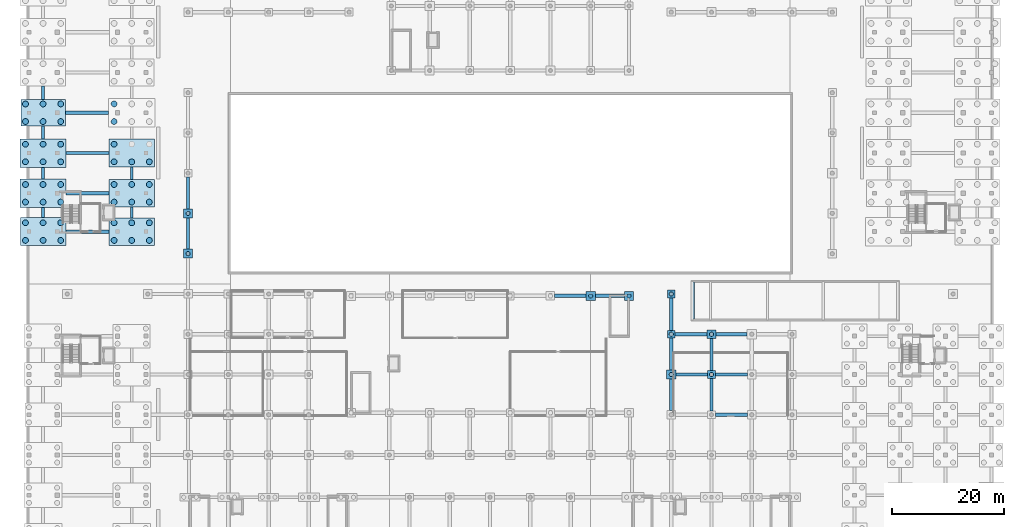
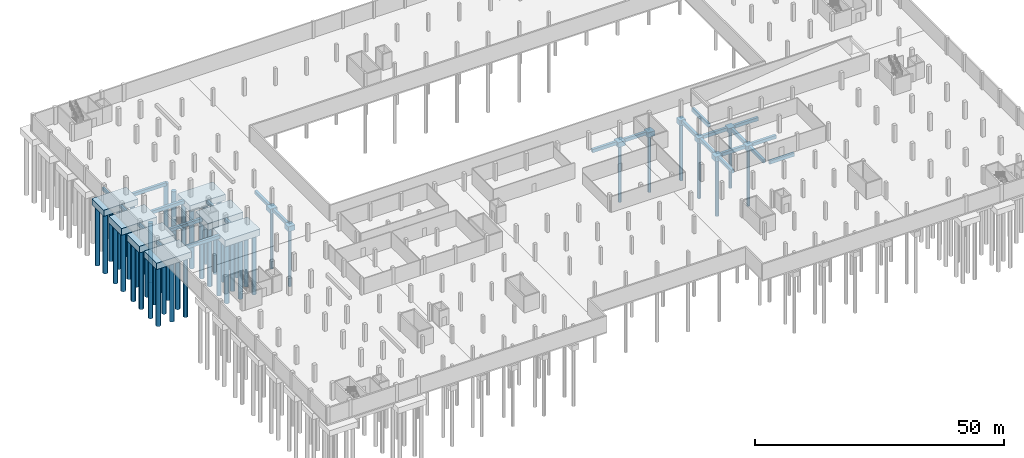
# One storey, part 6 of 36: 51 piles, 41 footings.
"""IFC4 building model written with IfcOpenShell, lengths in metres."""

from ifc_helpers import new_model, si_unit, derived_unit, direction, frame, origin, origin_2d, place, context, subcontext, project, spatial, polyline, rectangle, circle, outline, extrude, material, material_profile, profile_set, type_object, element, save


model = new_model("IFC4")

# Units and contexts
model_context = context("Model", 3, precision=1e-05, world=origin(), true_north=direction((0.0, 1.0)))
body_context = subcontext(model_context, "Body", "Model", "MODEL_VIEW")
ifc_project = project(units=[si_unit("LENGTHUNIT", "METRE"), si_unit("AREAUNIT", "SQUARE_METRE"), si_unit("VOLUMEUNIT", "CUBIC_METRE"), si_unit("PLANEANGLEUNIT", "RADIAN"), si_unit("MASSUNIT", "GRAM", prefix="KILO"), derived_unit("THERMALTRANSMITTANCEUNIT", [(si_unit("MASSUNIT", "GRAM", prefix="KILO"), 1), (si_unit("TIMEUNIT", "SECOND"), -3), (si_unit("THERMODYNAMICTEMPERATUREUNIT", "KELVIN"), -1)])], contexts=[model_context])

# Site, building, storey
site_placement = place(None, origin())
site = spatial("IfcSite", under=ifc_project, at=site_placement, CompositionType="ELEMENT")
building_placement = place(site_placement, origin())
building = spatial("IfcBuilding", under=site, at=building_placement, Name="Ochrekiln Boulevard Commons", CompositionType="ELEMENT")
storey_placement = place(building_placement, frame((0.0, 0.0, -4.199951171875)))
storey = spatial("IfcBuildingStorey", under=building, at=storey_placement, Name="B1", CompositionType="ELEMENT", Elevation=-4.199951171875)

# Footings
ifc_material = material(Name="Concrete C35/45", Category="concrete")
footing_type_1 = type_object("IfcFootingType", Name="CAP-RC-1350x1350x1200", PredefinedType="PILE_CAP", material=ifc_material)
footing_1_placement = place(storey_placement, frame((115.199951171875, 50.39990234375, -1.5), z_axis=(0.0, 0.0, 1.0), x_axis=(1.0, 0.0, 0.0)))
element("IfcFooting", 1, at=footing_1_placement, inside=storey, type_object=footing_type_1, Name="Reinforced Concrete Pile Cap PC-27 (144)", PredefinedType="PILE_CAP", context=body_context, shape_type="SweptSolid", body=[
    extrude(rectangle(XDim=1.35009765625, YDim=1.35009765625, at=origin_2d()), origin(), (0.0, 0.0, 1.0), 1.199951171875),
])
footing_type_2 = type_object("IfcFootingType", Name="CAP-RC-1410x1410x1200", PredefinedType="PILE_CAP", material=ifc_material)
footing_2_placement = place(storey_placement, frame((115.199951171875, 57.60009765625, -1.5), z_axis=(0.0, 0.0, 1.0), x_axis=(1.0, 0.0, 0.0)))
element("IfcFooting", 2, at=footing_2_placement, inside=storey, type_object=footing_type_2, Name="Reinforced Concrete Pile Cap PC-28 (145)", PredefinedType="PILE_CAP", context=body_context, shape_type="SweptSolid", body=[
    extrude(rectangle(XDim=1.409912109375, YDim=1.409912109375, at=origin_2d()), origin(), (0.0, 0.0, 1.0), 1.199951171875),
])
footing_type_3 = type_object("IfcFootingType", Name="CAP-RC-1470x1470x1200", PredefinedType="PILE_CAP", material=ifc_material)
footing_3_placement = place(storey_placement, frame((122.39990234375, 43.199951171875, -1.5), z_axis=(0.0, 0.0, 1.0), x_axis=(1.0, 0.0, 0.0)))
element("IfcFooting", 3, at=footing_3_placement, inside=storey, type_object=footing_type_3, Name="Reinforced Concrete Pile Cap PC-29 (152)", PredefinedType="PILE_CAP", context=body_context, shape_type="SweptSolid", body=[
    extrude(rectangle(XDim=1.469970703125, YDim=1.469970703125, at=origin_2d()), origin(), (0.0, 0.0, 1.0), 1.199951171875),
])
footing_type_4 = type_object("IfcFootingType", Name="CAP-RC-1530x1530x1200", PredefinedType="PILE_CAP", material=ifc_material)
footing_4_placement = place(storey_placement, frame((122.39990234375, 50.39990234375, -1.5), z_axis=(0.0, 0.0, 1.0), x_axis=(1.0, 0.0, 0.0)))
element("IfcFooting", 4, at=footing_4_placement, inside=storey, type_object=footing_type_4, Name="Reinforced Concrete Pile Cap PC-30 (153)", PredefinedType="PILE_CAP", context=body_context, shape_type="SweptSolid", body=[
    extrude(rectangle(XDim=1.530029296875, YDim=1.530029296875, at=origin_2d()), origin(), (0.0, 0.0, 1.0), 1.199951171875),
])
footing_type_5 = type_object("IfcFootingType", Name="CAP-RC-1590x1590x1200", PredefinedType="PILE_CAP", material=ifc_material)
for number, where, z_axis, x_axis, name in (
    (5, (28.800048828125, 64.800048828125, -1.5), (0.0, 0.0, 1.0), (1.0, 0.0, 0.0), "Reinforced Concrete Pile Cap PC-26 (40)"),
    (6, (107.64990234375, 57.25, -1.5), (0.0, 0.0, 1.0), (1.0, 0.0, 0.0), "Reinforced Concrete Pile Cap PC-26 (130)"),
):
    element("IfcFooting", number, at=place(storey_placement, frame(where, z_axis=z_axis, x_axis=x_axis)), inside=storey, type_object=footing_type_5, Name=name, PredefinedType="PILE_CAP", context=body_context, shape_type="SweptSolid", body=[
        extrude(rectangle(XDim=1.590087890625, YDim=1.590087890625, at=origin_2d()), origin(), (0.0, 0.0, 1.0), 1.199951171875),
    ])
footing_type_6 = type_object("IfcFootingType", Name="CAP-RC-1650x1650x1200", PredefinedType="PILE_CAP", material=ifc_material)
for number, where, z_axis, x_axis, name in (
    (7, (28.800048828125, 72.0, -1.5), (0.0, 0.0, 1.0), (1.0, 0.0, 0.0), "Reinforced Concrete Pile Cap PC-17 (41)"),
    (8, (100.800048828125, 57.25, -1.5), (0.0, 0.0, 1.0), (1.0, 0.0, 0.0), "Reinforced Concrete Pile Cap PC-17 (125)"),
    (9, (115.199951171875, 43.199951171875, -1.5), (0.0, 0.0, 1.0), (1.0, 0.0, 0.0), "Reinforced Concrete Pile Cap PC-17 (143)"),
):
    element("IfcFooting", number, at=place(storey_placement, frame(where, z_axis=z_axis, x_axis=x_axis)), inside=storey, type_object=footing_type_6, Name=name, PredefinedType="PILE_CAP", context=body_context, shape_type="SweptSolid", body=[
        extrude(rectangle(XDim=1.64990234375, YDim=1.64990234375, at=origin_2d()), origin(), (0.0, 0.0, 1.0), 1.199951171875),
    ])
footing_type_7 = type_object("IfcFootingType", Name="CAP-RC-7950x4800x1500", PredefinedType="PILE_CAP", material=ifc_material)
footing_5_placement = place(storey_placement, frame((2.875, 90.0, -1.800048828125), z_axis=(0.0, 0.0, 1.0), x_axis=(1.0, 0.0, 0.0)))
element("IfcFooting", 10, at=footing_5_placement, inside=storey, type_object=footing_type_7, Name="Reinforced Concrete Pile Cap PC-12 (12)", PredefinedType="PILE_CAP", context=body_context, shape_type="SweptSolid", body=[
    extrude(rectangle(XDim=7.949951171875, YDim=4.800048828125, at=origin_2d()), origin(), (0.0, 0.0, 1.0), 1.5),
])
footing_type_8 = type_object("IfcFootingType", Name="CAP-RC-8070x4920x1600", PredefinedType="PILE_CAP", material=ifc_material)
footing_6_placement = place(storey_placement, frame((18.72509765625, 68.75, -1.900146484375), z_axis=(0.0, 0.0, 1.0), x_axis=(1.0, 0.0, 0.0)))
element("IfcFooting", 11, at=footing_6_placement, inside=storey, type_object=footing_type_8, Name="Reinforced Concrete Pile Cap PC-14 (26)", PredefinedType="PILE_CAP", context=body_context, shape_type="SweptSolid", body=[
    extrude(rectangle(XDim=8.070068359375, YDim=4.919921875, at=origin_2d()), origin(), (0.0, 0.0, 1.0), 1.60009765625),
])
footing_type_9 = type_object("IfcFootingType", Name="CAP-RC-8130x4980x1550", PredefinedType="PILE_CAP", material=ifc_material)
footing_7_placement = place(storey_placement, frame((2.875, 68.75, -1.85009765625), z_axis=(0.0, 0.0, 1.0), x_axis=(1.0, 0.0, 0.0)))
element("IfcFooting", 12, at=footing_7_placement, inside=storey, type_object=footing_type_9, Name="Reinforced Concrete Pile Cap PC-09 (9)", PredefinedType="PILE_CAP", context=body_context, shape_type="SweptSolid", body=[
    extrude(rectangle(XDim=8.1298828125, YDim=4.97998046875, at=origin_2d()), origin(), (0.0, 0.0, 1.0), 1.550048828125),
])
footing_type_10 = type_object("IfcFootingType", Name="CAP-RC-8130x4980x1650", PredefinedType="PILE_CAP", material=ifc_material)
footing_8_placement = place(storey_placement, frame((18.72509765625, 75.60009765625, -1.949951171875), z_axis=(0.0, 0.0, 1.0), x_axis=(1.0, 0.0, 0.0)))
element("IfcFooting", 13, at=footing_8_placement, inside=storey, type_object=footing_type_10, Name="Reinforced Concrete Pile Cap PC-15 (27)", PredefinedType="PILE_CAP", context=body_context, shape_type="SweptSolid", body=[
    extrude(rectangle(XDim=8.1298828125, YDim=4.97998046875, at=origin_2d()), origin(), (0.0, 0.0, 1.0), 1.64990234375),
])
footing_type_11 = type_object("IfcFootingType", Name="CAP-RC-8190x5040x1500", PredefinedType="PILE_CAP", material=ifc_material)
footing_9_placement = place(storey_placement, frame((18.72509765625, 82.800048828125, -1.800048828125), z_axis=(0.0, 0.0, 1.0), x_axis=(1.0, 0.0, 0.0)))
element("IfcFooting", 14, at=footing_9_placement, inside=storey, type_object=footing_type_11, Name="Reinforced Concrete Pile Cap PC-16 (28)", PredefinedType="PILE_CAP", context=body_context, shape_type="SweptSolid", body=[
    extrude(rectangle(XDim=8.18994140625, YDim=5.0400390625, at=origin_2d()), origin(), (0.0, 0.0, 1.0), 1.5),
])
footing_type_12 = type_object("IfcFootingType", Name="CAP-RC-8190x5040x1600", PredefinedType="PILE_CAP", material=ifc_material)
footing_10_placement = place(storey_placement, frame((2.875, 75.60009765625, -1.900146484375), z_axis=(0.0, 0.0, 1.0), x_axis=(1.0, 0.0, 0.0)))
element("IfcFooting", 15, at=footing_10_placement, inside=storey, type_object=footing_type_12, Name="Reinforced Concrete Pile Cap PC-10 (10)", PredefinedType="PILE_CAP", context=body_context, shape_type="SweptSolid", body=[
    extrude(rectangle(XDim=8.18994140625, YDim=5.0400390625, at=origin_2d()), origin(), (0.0, 0.0, 1.0), 1.60009765625),
])
footing_type_13 = type_object("IfcFootingType", Name="CAP-RC-8250x5100x1650", PredefinedType="PILE_CAP", material=ifc_material)
footing_11_placement = place(storey_placement, frame((2.875, 82.800048828125, -1.949951171875), z_axis=(0.0, 0.0, 1.0), x_axis=(1.0, 0.0, 0.0)))
element("IfcFooting", 16, at=footing_11_placement, inside=storey, type_object=footing_type_13, Name="Reinforced Concrete Pile Cap PC-11 (11)", PredefinedType="PILE_CAP", context=body_context, shape_type="SweptSolid", body=[
    extrude(rectangle(XDim=8.25, YDim=5.10009765625, at=origin_2d()), origin(), (0.0, 0.0, 1.0), 1.64990234375),
])
footing_type_14 = type_object("IfcFootingType", Name="FTG-BEAM-500x700", PredefinedType="FOOTING_BEAM", material=ifc_material)
footing_12_placement = place(storey_placement, frame((0.0, 0.0, -1.0)))
element("IfcFooting", 17, at=footing_12_placement, inside=storey, type_object=footing_type_14, Name="Seismic Footing Tie Beam FB-5070 Y-173", PredefinedType="FOOTING_BEAM", context=body_context, shape_type="SweptSolid", body=[
    extrude(outline(polyline([(2.625, 71.239990234375), (3.125, 71.239990234375), (3.125, 73.080078125), (2.625, 73.080078125), (2.625, 71.239990234375)])), origin(), (0.0, 0.0, 1.0), 0.699951171875),
])
footing_13_placement = place(storey_placement, frame((0.0, 0.0, -1.0)))
element("IfcFooting", 18, at=footing_13_placement, inside=storey, type_object=footing_type_14, Name="Seismic Footing Tie Beam FB-5070 Y-174", PredefinedType="FOOTING_BEAM", context=body_context, shape_type="SweptSolid", body=[
    extrude(outline(polyline([(2.625, 78.1201171875), (3.125, 78.1201171875), (3.125, 80.25), (2.625, 80.25), (2.625, 78.1201171875)])), origin(), (0.0, 0.0, 1.0), 0.699951171875),
])
footing_14_placement = place(storey_placement, frame((0.0, 0.0, -1.0)))
element("IfcFooting", 19, at=footing_14_placement, inside=storey, type_object=footing_type_14, Name="Seismic Footing Tie Beam FB-5070 Y-175", PredefinedType="FOOTING_BEAM", context=body_context, shape_type="SweptSolid", body=[
    extrude(outline(polyline([(2.625, 85.35009765625), (3.125, 85.35009765625), (3.125, 87.60009765625), (2.625, 87.60009765625), (2.625, 85.35009765625)])), origin(), (0.0, 0.0, 1.0), 0.699951171875),
])
footing_15_placement = place(storey_placement, frame((0.0, 0.0, -1.0)))
element("IfcFooting", 20, at=footing_15_placement, inside=storey, type_object=footing_type_14, Name="Seismic Footing Tie Beam FB-5070 Y-176", PredefinedType="FOOTING_BEAM", context=body_context, shape_type="SweptSolid", body=[
    extrude(outline(polyline([(2.625, 92.39990234375), (3.125, 92.39990234375), (3.125, 94.77001953125), (2.625, 94.77001953125), (2.625, 92.39990234375)])), origin(), (0.0, 0.0, 1.0), 0.699951171875),
])
footing_16_placement = place(storey_placement, frame((0.0, 0.0, -1.0)))
element("IfcFooting", 21, at=footing_16_placement, inside=storey, type_object=footing_type_14, Name="Seismic Footing Tie Beam FB-5070 Y-187", PredefinedType="FOOTING_BEAM", context=body_context, shape_type="SweptSolid", body=[
    extrude(outline(polyline([(18.47509765625, 71.2099609375), (18.97509765625, 71.2099609375), (18.97509765625, 73.110107421875), (18.47509765625, 73.110107421875), (18.47509765625, 71.2099609375)])), origin(), (0.0, 0.0, 1.0), 0.699951171875),
])
footing_17_placement = place(storey_placement, frame((0.0, 0.0, -1.0)))
element("IfcFooting", 22, at=footing_17_placement, inside=storey, type_object=footing_type_14, Name="Seismic Footing Tie Beam FB-5070 Y-188", PredefinedType="FOOTING_BEAM", context=body_context, shape_type="SweptSolid", body=[
    extrude(outline(polyline([(18.47509765625, 78.090087890625), (18.97509765625, 78.090087890625), (18.97509765625, 80.280029296875), (18.47509765625, 80.280029296875), (18.47509765625, 78.090087890625)])), origin(), (0.0, 0.0, 1.0), 0.699951171875),
])
footing_type_15 = type_object("IfcFootingType", Name="FTG-BEAM-600x800", PredefinedType="FOOTING_BEAM", material=ifc_material)
footing_18_placement = place(storey_placement, frame((0.0, 0.0, -1.10009765625)))
element("IfcFooting", 23, at=footing_18_placement, inside=storey, type_object=footing_type_15, Name="Seismic Footing Tie Beam FB-6080 X-65", PredefinedType="FOOTING_BEAM", context=body_context, shape_type="SweptSolid", body=[
    extrude(outline(polyline([(123.10498046875, 35.699951171875), (128.8349609375, 35.699951171875), (128.8349609375, 36.300048828125), (123.10498046875, 36.300048828125), (123.10498046875, 35.699951171875)])), origin(), (0.0, 0.0, 1.0), 0.800048828125),
])
footing_19_placement = place(storey_placement, frame((0.0, 0.0, -1.10009765625)))
element("IfcFooting", 24, at=footing_19_placement, inside=storey, type_object=footing_type_15, Name="Seismic Footing Tie Beam FB-6080 X-76", PredefinedType="FOOTING_BEAM", context=body_context, shape_type="SweptSolid", body=[
    extrude(outline(polyline([(116.02490234375, 42.89990234375), (121.6650390625, 42.89990234375), (121.6650390625, 43.5), (116.02490234375, 43.5), (116.02490234375, 42.89990234375)])), origin(), (0.0, 0.0, 1.0), 0.800048828125),
])
footing_20_placement = place(storey_placement, frame((0.0, 0.0, -1.10009765625)))
element("IfcFooting", 25, at=footing_20_placement, inside=storey, type_object=footing_type_15, Name="Seismic Footing Tie Beam FB-6080 X-77", PredefinedType="FOOTING_BEAM", context=body_context, shape_type="SweptSolid", body=[
    extrude(outline(polyline([(123.135009765625, 42.89990234375), (128.804931640625, 42.89990234375), (128.804931640625, 43.5), (123.135009765625, 43.5), (123.135009765625, 42.89990234375)])), origin(), (0.0, 0.0, 1.0), 0.800048828125),
])
footing_21_placement = place(storey_placement, frame((0.0, 0.0, -1.10009765625)))
element("IfcFooting", 26, at=footing_21_placement, inside=storey, type_object=footing_type_15, Name="Seismic Footing Tie Beam FB-6080 X-87", PredefinedType="FOOTING_BEAM", context=body_context, shape_type="SweptSolid", body=[
    extrude(outline(polyline([(115.875, 50.10009765625), (121.635009765625, 50.10009765625), (121.635009765625, 50.699951171875), (115.875, 50.699951171875), (115.875, 50.10009765625)])), origin(), (0.0, 0.0, 1.0), 0.800048828125),
])
footing_22_placement = place(storey_placement, frame((0.0, 0.0, -1.10009765625)))
element("IfcFooting", 27, at=footing_22_placement, inside=storey, type_object=footing_type_15, Name="Seismic Footing Tie Beam FB-6080 X-88", PredefinedType="FOOTING_BEAM", context=body_context, shape_type="SweptSolid", body=[
    extrude(outline(polyline([(123.1650390625, 50.10009765625), (128.77490234375, 50.10009765625), (128.77490234375, 50.699951171875), (123.1650390625, 50.699951171875), (123.1650390625, 50.10009765625)])), origin(), (0.0, 0.0, 1.0), 0.800048828125),
])
footing_23_placement = place(storey_placement, frame((0.0, 0.0, -1.10009765625)))
element("IfcFooting", 28, at=footing_23_placement, inside=storey, type_object=footing_type_15, Name="Seismic Footing Tie Beam FB-6080 X-93", PredefinedType="FOOTING_BEAM", context=body_context, shape_type="SweptSolid", body=[
    extrude(outline(polyline([(6.93994140625, 68.449951171875), (14.68994140625, 68.449951171875), (14.68994140625, 69.050048828125), (6.93994140625, 69.050048828125), (6.93994140625, 68.449951171875)])), origin(), (0.0, 0.0, 1.0), 0.800048828125),
])
footing_24_placement = place(storey_placement, frame((0.0, 0.0, -1.10009765625)))
element("IfcFooting", 29, at=footing_24_placement, inside=storey, type_object=footing_type_15, Name="Seismic Footing Tie Beam FB-6080 X-95", PredefinedType="FOOTING_BEAM", context=body_context, shape_type="SweptSolid", body=[
    extrude(outline(polyline([(6.969970703125, 75.300048828125), (14.659912109375, 75.300048828125), (14.659912109375, 75.89990234375), (6.969970703125, 75.89990234375), (6.969970703125, 75.300048828125)])), origin(), (0.0, 0.0, 1.0), 0.800048828125),
])
footing_25_placement = place(storey_placement, frame((0.0, 0.0, -1.10009765625)))
element("IfcFooting", 30, at=footing_25_placement, inside=storey, type_object=footing_type_15, Name="Seismic Footing Tie Beam FB-6080 X-97", PredefinedType="FOOTING_BEAM", context=body_context, shape_type="SweptSolid", body=[
    extrude(outline(polyline([(7.0, 82.5), (14.6298828125, 82.5), (14.6298828125, 83.10009765625), (7.0, 83.10009765625), (7.0, 82.5)])), origin(), (0.0, 0.0, 1.0), 0.800048828125),
])
footing_26_placement = place(storey_placement, frame((0.0, 0.0, -1.10009765625)))
element("IfcFooting", 31, at=footing_26_placement, inside=storey, type_object=footing_type_15, Name="Seismic Footing Tie Beam FB-6080 X-99", PredefinedType="FOOTING_BEAM", context=body_context, shape_type="SweptSolid", body=[
    extrude(outline(polyline([(6.85009765625, 89.699951171875), (14.60009765625, 89.699951171875), (14.60009765625, 90.300048828125), (6.85009765625, 90.300048828125), (6.85009765625, 89.699951171875)])), origin(), (0.0, 0.0, 1.0), 0.800048828125),
])
footing_27_placement = place(storey_placement, frame((0.0, 0.0, -1.10009765625)))
element("IfcFooting", 32, at=footing_27_placement, inside=storey, type_object=footing_type_15, Name="Seismic Footing Tie Beam FB-6080 X-130", PredefinedType="FOOTING_BEAM", context=body_context, shape_type="SweptSolid", body=[
    extrude(outline(polyline([(94.364990234375, 56.949951171875), (99.97509765625, 56.949951171875), (99.97509765625, 57.550048828125), (94.364990234375, 57.550048828125), (94.364990234375, 56.949951171875)])), origin(), (0.0, 0.0, 1.0), 0.800048828125),
])
footing_28_placement = place(storey_placement, frame((0.0, 0.0, -1.10009765625)))
element("IfcFooting", 33, at=footing_28_placement, inside=storey, type_object=footing_type_15, Name="Seismic Footing Tie Beam FB-6080 X-131", PredefinedType="FOOTING_BEAM", context=body_context, shape_type="SweptSolid", body=[
    extrude(outline(polyline([(101.625, 56.949951171875), (106.85498046875, 56.949951171875), (106.85498046875, 57.550048828125), (101.625, 57.550048828125), (101.625, 56.949951171875)])), origin(), (0.0, 0.0, 1.0), 0.800048828125),
])
footing_29_placement = place(storey_placement, frame((0.0, 0.0, -1.10009765625)))
element("IfcFooting", 34, at=footing_29_placement, inside=storey, type_object=footing_type_15, Name="Seismic Footing Tie Beam FB-6080 Y-202", PredefinedType="FOOTING_BEAM", context=body_context, shape_type="SweptSolid", body=[
    extrude(outline(polyline([(28.5, 65.594970703125), (29.10009765625, 65.594970703125), (29.10009765625, 71.175048828125), (28.5, 71.175048828125), (28.5, 65.594970703125)])), origin(), (0.0, 0.0, 1.0), 0.800048828125),
])
footing_30_placement = place(storey_placement, frame((0.0, 0.0, -1.10009765625)))
element("IfcFooting", 35, at=footing_30_placement, inside=storey, type_object=footing_type_15, Name="Seismic Footing Tie Beam FB-6080 Y-203", PredefinedType="FOOTING_BEAM", context=body_context, shape_type="SweptSolid", body=[
    extrude(outline(polyline([(28.5, 72.824951171875), (29.10009765625, 72.824951171875), (29.10009765625, 78.52490234375), (28.5, 78.52490234375), (28.5, 72.824951171875)])), origin(), (0.0, 0.0, 1.0), 0.800048828125),
])
footing_31_placement = place(storey_placement, frame((0.0, 0.0, -1.10009765625)))
element("IfcFooting", 36, at=footing_31_placement, inside=storey, type_object=footing_type_15, Name="Seismic Footing Tie Beam FB-6080 Y-262", PredefinedType="FOOTING_BEAM", context=body_context, shape_type="SweptSolid", body=[
    extrude(outline(polyline([(114.89990234375, 36.794921875), (115.5, 36.794921875), (115.5, 42.375), (114.89990234375, 42.375), (114.89990234375, 36.794921875)])), origin(), (0.0, 0.0, 1.0), 0.800048828125),
])
footing_32_placement = place(storey_placement, frame((0.0, 0.0, -1.10009765625)))
element("IfcFooting", 37, at=footing_32_placement, inside=storey, type_object=footing_type_15, Name="Seismic Footing Tie Beam FB-6080 Y-263", PredefinedType="FOOTING_BEAM", context=body_context, shape_type="SweptSolid", body=[
    extrude(outline(polyline([(114.89990234375, 44.02490234375), (115.5, 44.02490234375), (115.5, 49.72509765625), (114.89990234375, 49.72509765625), (114.89990234375, 44.02490234375)])), origin(), (0.0, 0.0, 1.0), 0.800048828125),
])
footing_33_placement = place(storey_placement, frame((0.0, 0.0, -1.10009765625)))
element("IfcFooting", 38, at=footing_33_placement, inside=storey, type_object=footing_type_15, Name="Seismic Footing Tie Beam FB-6080 Y-264", PredefinedType="FOOTING_BEAM", context=body_context, shape_type="SweptSolid", body=[
    extrude(outline(polyline([(114.89990234375, 51.074951171875), (115.5, 51.074951171875), (115.5, 56.89501953125), (114.89990234375, 56.89501953125), (114.89990234375, 51.074951171875)])), origin(), (0.0, 0.0, 1.0), 0.800048828125),
])
footing_34_placement = place(storey_placement, frame((0.0, 0.0, -1.10009765625)))
element("IfcFooting", 39, at=footing_34_placement, inside=storey, type_object=footing_type_15, Name="Seismic Footing Tie Beam FB-6080 Y-269", PredefinedType="FOOTING_BEAM", context=body_context, shape_type="SweptSolid", body=[
    extrude(outline(polyline([(122.10009765625, 36.705078125), (122.699951171875, 36.705078125), (122.699951171875, 42.465087890625), (122.10009765625, 42.465087890625), (122.10009765625, 36.705078125)])), origin(), (0.0, 0.0, 1.0), 0.800048828125),
])
footing_35_placement = place(storey_placement, frame((0.0, 0.0, -1.10009765625)))
element("IfcFooting", 40, at=footing_35_placement, inside=storey, type_object=footing_type_15, Name="Seismic Footing Tie Beam FB-6080 Y-270", PredefinedType="FOOTING_BEAM", context=body_context, shape_type="SweptSolid", body=[
    extrude(outline(polyline([(122.10009765625, 43.93505859375), (122.699951171875, 43.93505859375), (122.699951171875, 49.635009765625), (122.10009765625, 49.635009765625), (122.10009765625, 43.93505859375)])), origin(), (0.0, 0.0, 1.0), 0.800048828125),
])
footing_type_16 = type_object("IfcFootingType", Name="FTG-PAD-600x800", PredefinedType="PAD_FOOTING", material=ifc_material)
footing_36_placement = place(storey_placement, frame((0.0, 0.0, -1.080078125)))
element("IfcFooting", 41, at=footing_36_placement, inside=storey, type_object=footing_type_16, Name="Reinforced Concrete Ramp Toe Pad Footing FP-6080", PredefinedType="PAD_FOOTING", context=body_context, shape_type="SweptSolid", body=[
    extrude(outline(polyline([(118.800048828125, 53.10009765625), (119.39990234375, 53.10009765625), (119.39990234375, 59.699951171875), (118.800048828125, 59.699951171875), (118.800048828125, 53.10009765625)])), origin(), (0.0, 0.0, 1.0), 0.800048828125),
])

# Piles
ifc_material_profile_1 = material_profile(ifc_material, circle(Radius=0.52490234375, at=origin_2d()), Name="PILE-D1050")
ifc_profile_set_1 = profile_set([ifc_material_profile_1], Name="Concrete C35/45")
pile_type_1 = type_object("IfcPileType", Name="PILE-BORED-1050", PredefinedType="BORED", material=ifc_profile_set_1)
for number, where, z_axis, x_axis, name in (
    (42, (-0.27490234375, 67.175048828125, -1.75), (0.0, 0.0, -1.0), (1.0, 0.0, 0.0), "Caliche-Socketed Bored Pile BP-1050 (9.1)"),
    (43, (-0.27490234375, 70.324951171875, -1.75), (0.0, 0.0, -1.0), (1.0, 0.0, 0.0), "Caliche-Socketed Bored Pile BP-1050 (9.2)"),
    (44, (2.875, 67.175048828125, -1.75), (0.0, 0.0, -1.0), (1.0, 0.0, 0.0), "Caliche-Socketed Bored Pile BP-1050 (9.3)"),
    (45, (2.875, 70.324951171875, -1.75), (0.0, 0.0, -1.0), (1.0, 0.0, 0.0), "Caliche-Socketed Bored Pile BP-1050 (9.4)"),
    (46, (6.02490234375, 67.175048828125, -1.75), (0.0, 0.0, -1.0), (1.0, 0.0, 0.0), "Caliche-Socketed Bored Pile BP-1050 (9.5)"),
    (47, (6.02490234375, 70.324951171875, -1.75), (0.0, 0.0, -1.0), (1.0, 0.0, 0.0), "Caliche-Socketed Bored Pile BP-1050 (9.6)"),
):
    element("IfcPile", number, at=place(storey_placement, frame(where, z_axis=z_axis, x_axis=x_axis)), inside=storey, type_object=pile_type_1, Name=name, PredefinedType="BORED", context=body_context, shape_type="SweptSolid", body=[
        extrude(circle(Radius=0.52490234375, at=origin_2d()), origin(), (0.0, 0.0, 1.0), 14.550048828125),
    ])
for number, where, z_axis, x_axis, name in (
    (48, (-0.27490234375, 74.02490234375, -1.800048828125), (0.0, 0.0, -1.0), (1.0, 0.0, 0.0), "Caliche-Socketed Bored Pile BP-1050 (10.1)"),
    (49, (-0.27490234375, 77.175048828125, -1.800048828125), (0.0, 0.0, -1.0), (1.0, 0.0, 0.0), "Caliche-Socketed Bored Pile BP-1050 (10.2)"),
    (50, (2.875, 74.02490234375, -1.800048828125), (0.0, 0.0, -1.0), (1.0, 0.0, 0.0), "Caliche-Socketed Bored Pile BP-1050 (10.3)"),
    (51, (2.875, 77.175048828125, -1.800048828125), (0.0, 0.0, -1.0), (1.0, 0.0, 0.0), "Caliche-Socketed Bored Pile BP-1050 (10.4)"),
    (52, (6.02490234375, 74.02490234375, -1.800048828125), (0.0, 0.0, -1.0), (1.0, 0.0, 0.0), "Caliche-Socketed Bored Pile BP-1050 (10.5)"),
    (53, (6.02490234375, 77.175048828125, -1.800048828125), (0.0, 0.0, -1.0), (1.0, 0.0, 0.0), "Caliche-Socketed Bored Pile BP-1050 (10.6)"),
):
    element("IfcPile", number, at=place(storey_placement, frame(where, z_axis=z_axis, x_axis=x_axis)), inside=storey, type_object=pile_type_1, Name=name, PredefinedType="BORED", context=body_context, shape_type="SweptSolid", body=[
        extrude(circle(Radius=0.52490234375, at=origin_2d()), origin(), (0.0, 0.0, 1.0), 14.5),
    ])
for number, where, z_axis, x_axis, name in (
    (54, (-0.27490234375, 81.22509765625, -1.85009765625), (0.0, 0.0, -1.0), (1.0, 0.0, 0.0), "Caliche-Socketed Bored Pile BP-1050 (11.1)"),
    (55, (-0.27490234375, 84.375, -1.85009765625), (0.0, 0.0, -1.0), (1.0, 0.0, 0.0), "Caliche-Socketed Bored Pile BP-1050 (11.2)"),
    (56, (2.875, 81.22509765625, -1.85009765625), (0.0, 0.0, -1.0), (1.0, 0.0, 0.0), "Caliche-Socketed Bored Pile BP-1050 (11.3)"),
    (57, (2.875, 84.375, -1.85009765625), (0.0, 0.0, -1.0), (1.0, 0.0, 0.0), "Caliche-Socketed Bored Pile BP-1050 (11.4)"),
    (58, (6.02490234375, 81.22509765625, -1.85009765625), (0.0, 0.0, -1.0), (1.0, 0.0, 0.0), "Caliche-Socketed Bored Pile BP-1050 (11.5)"),
    (59, (6.02490234375, 84.375, -1.85009765625), (0.0, 0.0, -1.0), (1.0, 0.0, 0.0), "Caliche-Socketed Bored Pile BP-1050 (11.6)"),
):
    element("IfcPile", number, at=place(storey_placement, frame(where, z_axis=z_axis, x_axis=x_axis)), inside=storey, type_object=pile_type_1, Name=name, PredefinedType="BORED", context=body_context, shape_type="SweptSolid", body=[
        extrude(circle(Radius=0.52490234375, at=origin_2d()), origin(), (0.0, 0.0, 1.0), 14.449951171875),
    ])
for number, where, z_axis, x_axis, name in (
    (60, (-0.27490234375, 88.425048828125, -1.699951171875), (0.0, 0.0, -1.0), (1.0, 0.0, 0.0), "Caliche-Socketed Bored Pile BP-1050 (12.1)"),
    (61, (-0.27490234375, 91.574951171875, -1.699951171875), (0.0, 0.0, -1.0), (1.0, 0.0, 0.0), "Caliche-Socketed Bored Pile BP-1050 (12.2)"),
    (62, (2.875, 88.425048828125, -1.699951171875), (0.0, 0.0, -1.0), (1.0, 0.0, 0.0), "Caliche-Socketed Bored Pile BP-1050 (12.3)"),
    (63, (2.875, 91.574951171875, -1.699951171875), (0.0, 0.0, -1.0), (1.0, 0.0, 0.0), "Caliche-Socketed Bored Pile BP-1050 (12.4)"),
    (64, (6.02490234375, 88.425048828125, -1.699951171875), (0.0, 0.0, -1.0), (1.0, 0.0, 0.0), "Caliche-Socketed Bored Pile BP-1050 (12.5)"),
    (65, (6.02490234375, 91.574951171875, -1.699951171875), (0.0, 0.0, -1.0), (1.0, 0.0, 0.0), "Caliche-Socketed Bored Pile BP-1050 (12.6)"),
):
    element("IfcPile", number, at=place(storey_placement, frame(where, z_axis=z_axis, x_axis=x_axis)), inside=storey, type_object=pile_type_1, Name=name, PredefinedType="BORED", context=body_context, shape_type="SweptSolid", body=[
        extrude(circle(Radius=0.52490234375, at=origin_2d()), origin(), (0.0, 0.0, 1.0), 14.60009765625),
    ])
for number, where, z_axis, x_axis, name in (
    (66, (15.574951171875, 67.175048828125, -1.800048828125), (0.0, 0.0, -1.0), (1.0, 0.0, 0.0), "Caliche-Socketed Bored Pile BP-1050 (26.1)"),
    (67, (15.574951171875, 70.324951171875, -1.800048828125), (0.0, 0.0, -1.0), (1.0, 0.0, 0.0), "Caliche-Socketed Bored Pile BP-1050 (26.2)"),
    (68, (18.72509765625, 67.175048828125, -1.800048828125), (0.0, 0.0, -1.0), (1.0, 0.0, 0.0), "Caliche-Socketed Bored Pile BP-1050 (26.3)"),
    (69, (18.72509765625, 70.324951171875, -1.800048828125), (0.0, 0.0, -1.0), (1.0, 0.0, 0.0), "Caliche-Socketed Bored Pile BP-1050 (26.4)"),
    (70, (21.875, 67.175048828125, -1.800048828125), (0.0, 0.0, -1.0), (1.0, 0.0, 0.0), "Caliche-Socketed Bored Pile BP-1050 (26.5)"),
    (71, (21.875, 70.324951171875, -1.800048828125), (0.0, 0.0, -1.0), (1.0, 0.0, 0.0), "Caliche-Socketed Bored Pile BP-1050 (26.6)"),
):
    element("IfcPile", number, at=place(storey_placement, frame(where, z_axis=z_axis, x_axis=x_axis)), inside=storey, type_object=pile_type_1, Name=name, PredefinedType="BORED", context=body_context, shape_type="SweptSolid", body=[
        extrude(circle(Radius=0.52490234375, at=origin_2d()), origin(), (0.0, 0.0, 1.0), 14.5),
    ])
for number, where, z_axis, x_axis, name in (
    (72, (15.574951171875, 74.02490234375, -1.85009765625), (0.0, 0.0, -1.0), (1.0, 0.0, 0.0), "Caliche-Socketed Bored Pile BP-1050 (27.1)"),
    (73, (15.574951171875, 77.175048828125, -1.85009765625), (0.0, 0.0, -1.0), (1.0, 0.0, 0.0), "Caliche-Socketed Bored Pile BP-1050 (27.2)"),
    (74, (18.72509765625, 74.02490234375, -1.85009765625), (0.0, 0.0, -1.0), (1.0, 0.0, 0.0), "Caliche-Socketed Bored Pile BP-1050 (27.3)"),
    (75, (18.72509765625, 77.175048828125, -1.85009765625), (0.0, 0.0, -1.0), (1.0, 0.0, 0.0), "Caliche-Socketed Bored Pile BP-1050 (27.4)"),
    (76, (21.875, 74.02490234375, -1.85009765625), (0.0, 0.0, -1.0), (1.0, 0.0, 0.0), "Caliche-Socketed Bored Pile BP-1050 (27.5)"),
    (77, (21.875, 77.175048828125, -1.85009765625), (0.0, 0.0, -1.0), (1.0, 0.0, 0.0), "Caliche-Socketed Bored Pile BP-1050 (27.6)"),
):
    element("IfcPile", number, at=place(storey_placement, frame(where, z_axis=z_axis, x_axis=x_axis)), inside=storey, type_object=pile_type_1, Name=name, PredefinedType="BORED", context=body_context, shape_type="SweptSolid", body=[
        extrude(circle(Radius=0.52490234375, at=origin_2d()), origin(), (0.0, 0.0, 1.0), 14.449951171875),
    ])
for number, where, z_axis, x_axis, name in (
    (78, (15.574951171875, 81.22509765625, -1.699951171875), (0.0, 0.0, -1.0), (1.0, 0.0, 0.0), "Caliche-Socketed Bored Pile BP-1050 (28.1)"),
    (79, (15.574951171875, 84.375, -1.699951171875), (0.0, 0.0, -1.0), (1.0, 0.0, 0.0), "Caliche-Socketed Bored Pile BP-1050 (28.2)"),
    (80, (18.72509765625, 81.22509765625, -1.699951171875), (0.0, 0.0, -1.0), (1.0, 0.0, 0.0), "Caliche-Socketed Bored Pile BP-1050 (28.3)"),
    (81, (21.875, 81.22509765625, -1.699951171875), (0.0, 0.0, -1.0), (1.0, 0.0, 0.0), "Caliche-Socketed Bored Pile BP-1050 (28.5)"),
):
    element("IfcPile", number, at=place(storey_placement, frame(where, z_axis=z_axis, x_axis=x_axis)), inside=storey, type_object=pile_type_1, Name=name, PredefinedType="BORED", context=body_context, shape_type="SweptSolid", body=[
        extrude(circle(Radius=0.52490234375, at=origin_2d()), origin(), (0.0, 0.0, 1.0), 14.60009765625),
    ])
for number, where, z_axis, x_axis, name in (
    (82, (15.574951171875, 88.425048828125, -1.75), (0.0, 0.0, -1.0), (1.0, 0.0, 0.0), "Caliche-Socketed Bored Pile BP-1050 (29.1)"),
    (83, (15.574951171875, 91.574951171875, -1.75), (0.0, 0.0, -1.0), (1.0, 0.0, 0.0), "Caliche-Socketed Bored Pile BP-1050 (29.2)"),
):
    element("IfcPile", number, at=place(storey_placement, frame(where, z_axis=z_axis, x_axis=x_axis)), inside=storey, type_object=pile_type_1, Name=name, PredefinedType="BORED", context=body_context, shape_type="SweptSolid", body=[
        extrude(circle(Radius=0.52490234375, at=origin_2d()), origin(), (0.0, 0.0, 1.0), 14.550048828125),
    ])
ifc_material_profile_2 = material_profile(ifc_material, circle(Radius=0.375, at=origin_2d()), Name="PILE-D750")
ifc_profile_set_2 = profile_set([ifc_material_profile_2], Name="Concrete C35/45")
pile_type_2 = type_object("IfcPileType", Name="PILE-BORED-750", PredefinedType="BORED", material=ifc_profile_set_2)
for number, where, z_axis, x_axis, name in (
    (84, (28.800048828125, 64.800048828125, -1.400146484375), (0.0, 0.0, -1.0), (1.0, 0.0, 0.0), "Caliche-Socketed Bored Pile BP-750 (40.1)"),
    (85, (28.800048828125, 72.0, -1.400146484375), (0.0, 0.0, -1.0), (1.0, 0.0, 0.0), "Caliche-Socketed Bored Pile BP-750 (41.1)"),
    (86, (100.800048828125, 57.25, -1.400146484375), (0.0, 0.0, -1.0), (1.0, 0.0, 0.0), "Caliche-Socketed Bored Pile BP-750 (125.1)"),
    (87, (107.64990234375, 57.25, -1.400146484375), (0.0, 0.0, -1.0), (1.0, 0.0, 0.0), "Caliche-Socketed Bored Pile BP-750 (130.1)"),
    (88, (115.199951171875, 43.199951171875, -1.400146484375), (0.0, 0.0, -1.0), (1.0, 0.0, 0.0), "Caliche-Socketed Bored Pile BP-750 (143.1)"),
    (89, (115.199951171875, 50.39990234375, -1.400146484375), (0.0, 0.0, -1.0), (1.0, 0.0, 0.0), "Caliche-Socketed Bored Pile BP-750 (144.1)"),
    (90, (115.199951171875, 57.60009765625, -1.400146484375), (0.0, 0.0, -1.0), (1.0, 0.0, 0.0), "Caliche-Socketed Bored Pile BP-750 (145.1)"),
    (91, (122.39990234375, 43.199951171875, -1.400146484375), (0.0, 0.0, -1.0), (1.0, 0.0, 0.0), "Caliche-Socketed Bored Pile BP-750 (152.1)"),
    (92, (122.39990234375, 50.39990234375, -1.400146484375), (0.0, 0.0, -1.0), (1.0, 0.0, 0.0), "Caliche-Socketed Bored Pile BP-750 (153.1)"),
):
    element("IfcPile", number, at=place(storey_placement, frame(where, z_axis=z_axis, x_axis=x_axis)), inside=storey, type_object=pile_type_2, Name=name, PredefinedType="BORED", context=body_context, shape_type="SweptSolid", body=[
        extrude(circle(Radius=0.375, at=origin_2d()), origin(), (0.0, 0.0, 1.0), 14.0),
    ])

save(model, "model.ifc")
